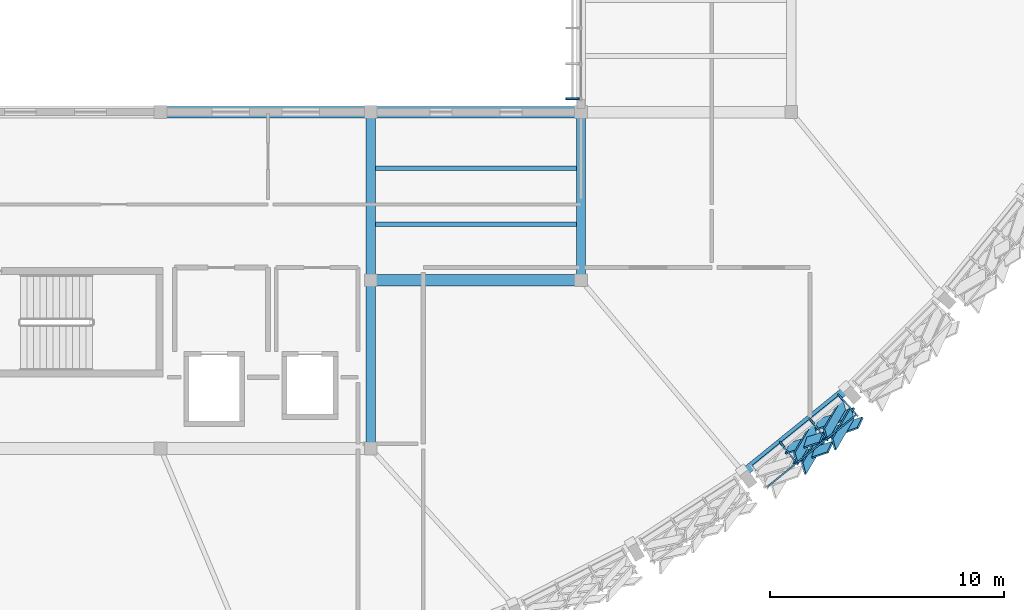
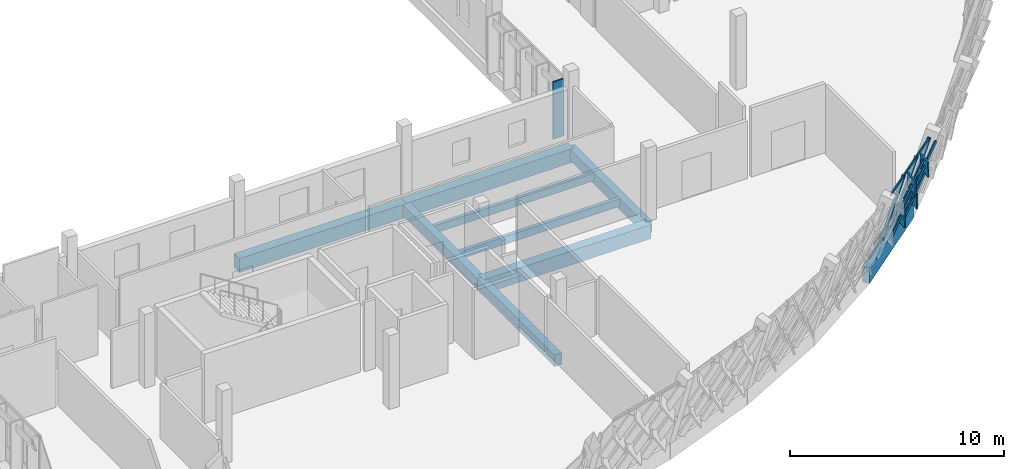
# One storey, part 52 of 94: 15 members, 9 beams, 2 elements without a shape of their own.
"""IFC4 building model written with IfcOpenShell, lengths in metres."""

from ifc_helpers import new_model, si_unit, direction, frame, origin, origin_2d, place, context, subcontext, project, spatial, rectangle, hollow_rectangle, extrude, material, material_profile, profile_set, type_object, element, aggregate, save


model = new_model("IFC4")

# Units and contexts
model_context = context("Model", 3, precision=1e-05, world=origin(), true_north=direction((0.0, 1.0)))
body_context = subcontext(model_context, "Body", "Model", "MODEL_VIEW")
ifc_project = project(units=[si_unit("LENGTHUNIT", "METRE"), si_unit("AREAUNIT", "SQUARE_METRE"), si_unit("VOLUMEUNIT", "CUBIC_METRE"), si_unit("PLANEANGLEUNIT", "RADIAN"), si_unit("MASSUNIT", "GRAM", prefix="KILO")], contexts=[model_context])

# Site, building, storey
site_placement = place(None, origin())
site = spatial("IfcSite", under=ifc_project, at=site_placement, CompositionType="ELEMENT")
building_placement = place(site_placement, origin())
building = spatial("IfcBuilding", under=site, at=building_placement, Name="Chiffa Square Polytechnic", CompositionType="ELEMENT")
storey_placement = place(building_placement, frame((0.0, 0.0, 18.0)))
storey = spatial("IfcBuildingStorey", under=building, at=storey_placement, Name="L04", CompositionType="ELEMENT", Elevation=18.0)

# Beams
ifc_material_1 = material(Name="Concrete C35/45", Category="concrete")
ifc_material_profile_1 = material_profile(ifc_material_1, rectangle(XDim=0.39990234375, YDim=0.64990234375, at=origin_2d()), Name="RC 400x650")
ifc_profile_set_1 = profile_set([ifc_material_profile_1], Name="Concrete C35/45")
beam_type_1 = type_object("IfcBeamType", Name="BM-RC-400X650", PredefinedType="BEAM", material=ifc_profile_set_1)
beam_1_placement = place(storey_placement, frame((139.199951171875, 14.39990234375, -0.56494140625), z_axis=(0.0, 1.0, 0.0), x_axis=(-1.0, 0.0, 0.0)))
element("IfcBeam", 1, at=beam_1_placement, inside=storey, type_object=beam_type_1, Name="Primary floor girder BM-V1-L04-Y-1392-0144", PredefinedType="BEAM", context=body_context, shape_type="SweptSolid", body=[
    extrude(rectangle(XDim=0.39990234375, YDim=0.64990234375, at=origin_2d()), origin(), (0.0, 0.0, 1.0), 7.2001953125),
])
for number, where, z_axis, x_axis, name in (
    (2, (139.199951171875, 21.60009765625, -0.56494140625), (0.0, 1.0, 0.0), (-1.0, 0.0, 0.0), "Primary floor girder BM-V1-L04-Y-1392-0216"),
    (3, (148.199951171875, 21.60009765625, -0.56494140625), (0.0, 1.0, 0.0), (-1.0, 0.0, 0.0), "Primary floor girder BM-V1-L04-Y-1482-0216"),
):
    element("IfcBeam", number, at=place(storey_placement, frame(where, z_axis=z_axis, x_axis=x_axis)), inside=storey, type_object=beam_type_1, Name=name, PredefinedType="BEAM", context=body_context, shape_type="SweptSolid", body=[
        extrude(rectangle(XDim=0.39990234375, YDim=0.64990234375, at=origin_2d()), origin(), (0.0, 0.0, 1.0), 7.199951171875),
    ])
ifc_material_2 = material(Name="Concrete C40/50", Category="concrete")
ifc_material_profile_2 = material_profile(ifc_material_2, rectangle(XDim=0.5, YDim=0.800048828125, at=origin_2d()), Name="RC 500x800")
ifc_profile_set_2 = profile_set([ifc_material_profile_2], Name="Concrete C40/50")
beam_type_2 = type_object("IfcBeamType", Name="BM-RC-500X800", PredefinedType="BEAM", material=ifc_profile_set_2)
for number, where, z_axis, x_axis, name in (
    (4, (139.199951171875, 21.60009765625, -0.639892578125), (1.0, 0.0, 0.0), (0.0, 1.0, 0.0), "Primary floor girder BM-V1-L04-X-1392-0216"),
    (5, (130.199951171875, 28.800048828125, -0.639892578125), (1.0, 0.0, 0.0), (0.0, 1.0, 0.0), "Primary floor girder BM-V1-L04-X-1302-0288"),
    (6, (139.199951171875, 28.800048828125, -0.639892578125), (1.0, 0.0, 0.0), (0.0, 1.0, 0.0), "Primary floor girder BM-V1-L04-X-1392-0288"),
):
    element("IfcBeam", number, at=place(storey_placement, frame(where, z_axis=z_axis, x_axis=x_axis)), inside=storey, type_object=beam_type_2, Name=name, PredefinedType="BEAM", context=body_context, shape_type="SweptSolid", body=[
        extrude(rectangle(XDim=0.5, YDim=0.800048828125, at=origin_2d()), origin(), (0.0, 0.0, 1.0), 9.0),
    ])

# Curtain wall, members
ifc_material_3 = material(Name="Aluminium EN AW-6060 T66 and glulam shading", Category="wood")
curtain_wall_type_1 = type_object("IfcCurtainWallType", Name="CW-PROW-LEAN-150", PredefinedType="USERDEFINED", material=ifc_material_3)
curtain_wall_1_placement = place(storey_placement, origin())
curtain_wall_1 = element("IfcCurtainWall", 7, at=curtain_wall_1_placement, inside=storey, type_object=curtain_wall_type_1, Name="Outward-leaning diamond-fin prow curtain wall CW-V1-L04-069", ObjectType="CURTAIN WALL", PredefinedType="USERDEFINED")
ifc_material_4 = material(Name="Aluminium EN AW-6060 T66", Category="aluminium")
ifc_material_profile_3 = material_profile(ifc_material_4, hollow_rectangle(XDim=0.06494140625, YDim=0.179931640625, WallThickness=0.00390625, at=origin_2d()), Name="ALU 65x180x4")
ifc_profile_set_3 = profile_set([ifc_material_profile_3], Name="Aluminium EN AW-6060 T66")
member_type_1 = type_object("IfcMemberType", Name="CWM-ALU-75X180", PredefinedType="MULLION", material=ifc_profile_set_3)
member_1_placement = place(storey_placement, frame((156.747802734375, 14.642333984375, 0.0), z_axis=(0.167382757201, -0.214311944917, 0.962316685327), x_axis=(0.7881108034, 0.615533395978, 0.0)))
member_1 = element("IfcMember", 8, at=member_1_placement, type_object=member_type_1, Name="Leaning prow mullion CW-V1-L04-069-M01", PredefinedType="MULLION", context=body_context, shape_type="SweptSolid", body=[
    extrude(hollow_rectangle(XDim=0.06494140625, YDim=0.179931640625, WallThickness=0.00390625, at=origin_2d()), origin(), (0.0, 0.0, 1.0), 4.09423828125),
])
member_2_placement = place(storey_placement, frame((157.999267578125, 15.65576171875, 0.0), z_axis=(0.17483607358, -0.208288678382, 0.962313968429), x_axis=(0.765933760978, 0.642919492467, 0.0)))
member_2 = element("IfcMember", 9, at=member_2_placement, type_object=member_type_1, Name="Leaning prow mullion CW-V1-L04-069-M02", PredefinedType="MULLION", context=body_context, shape_type="SweptSolid", body=[
    extrude(hollow_rectangle(XDim=0.06494140625, YDim=0.179931640625, WallThickness=0.00390625, at=origin_2d()), origin(), (0.0, 0.0, 1.0), 4.09423828125),
])
member_3_placement = place(storey_placement, frame((159.2509765625, 16.6689453125, 0.0), z_axis=(0.182217162782, -0.202191884487, 0.962244951889), x_axis=(0.742847379704, 0.669460805773, 0.0)))
member_3 = element("IfcMember", 10, at=member_3_placement, type_object=member_type_1, Name="Leaning prow mullion CW-V1-L04-069-M03", PredefinedType="MULLION", context=body_context, shape_type="SweptSolid", body=[
    extrude(hollow_rectangle(XDim=0.06494140625, YDim=0.179931640625, WallThickness=0.00390625, at=origin_2d()), origin(), (0.0, 0.0, 1.0), 4.094482421875),
])
ifc_material_5 = material(Name="Glulam GL28h", Category="wood")
ifc_material_profile_4 = material_profile(ifc_material_5, rectangle(XDim=0.080078125, YDim=0.580078125, at=origin_2d()), Name="GL28h 80x580")
ifc_profile_set_4 = profile_set([ifc_material_profile_4], Name="Glulam GL28h")
member_type_2 = type_object("IfcMemberType", Name="CWM-GL-80X580", PredefinedType="MULLION", material=ifc_profile_set_4)
member_4_placement = place(storey_placement, frame((157.05908203125, 14.39794921875, 0.0400390625), z_axis=(0.59265482889, 0.195607722877, 0.781343632817), x_axis=(-0.710515231396, 0.583873329734, 0.392759520291)))
member_4 = element("IfcMember", 11, at=member_4_placement, type_object=member_type_2, Name="Diamond glulam fin CW-V1-L04-069-DF03A", PredefinedType="MULLION", context=body_context, shape_type="SweptSolid", body=[
    extrude(rectangle(XDim=0.080078125, YDim=0.580078125, at=origin_2d()), origin(), (0.0, 0.0, 1.0), 2.469970703125),
])
member_5_placement = place(storey_placement, frame((158.174072265625, 15.300048828125, 0.0400390625), z_axis=(-0.314988776631, -0.538851211231, 0.781294722081), x_axis=(0.919057782142, 0.032287501173, 0.392798052888)))
member_5 = element("IfcMember", 12, at=member_5_placement, type_object=member_type_2, Name="Diamond glulam fin CW-V1-L04-069-DF03B", PredefinedType="MULLION", context=body_context, shape_type="SweptSolid", body=[
    extrude(rectangle(XDim=0.080078125, YDim=0.580078125, at=origin_2d()), origin(), (0.0, 0.0, 1.0), 2.47021484375),
])
member_6_placement = place(storey_placement, frame((157.39599609375, 13.968994140625, 1.969970703125), z_axis=(0.595592309313, 0.199154254833, 0.778207802499), x_axis=(-0.710913439103, 0.581726045377, 0.395217522679)))
member_6 = element("IfcMember", 13, at=member_6_placement, type_object=member_type_2, Name="Diamond glulam fin CW-V1-L04-069-DF04A", PredefinedType="MULLION", context=body_context, shape_type="SweptSolid", body=[
    extrude(rectangle(XDim=0.080078125, YDim=0.580078125, at=origin_2d()), origin(), (0.0, 0.0, 1.0), 2.47998046875),
])
member_7_placement = place(storey_placement, frame((158.52294921875, 14.881103515625, 1.969970703125), z_axis=(-0.318999520086, -0.540822334517, 0.778299755025), x_axis=(0.918220018106, 0.02705165168, 0.395145804091)))
member_7 = element("IfcMember", 14, at=member_7_placement, type_object=member_type_2, Name="Diamond glulam fin CW-V1-L04-069-DF04B", PredefinedType="MULLION", context=body_context, shape_type="SweptSolid", body=[
    extrude(rectangle(XDim=0.080078125, YDim=0.580078125, at=origin_2d()), origin(), (0.0, 0.0, 1.0), 2.479736328125),
])
member_8_placement = place(storey_placement, frame((158.31103515625, 15.410888671875, 0.0400390625), z_axis=(0.595994850536, 0.199911115267, 0.777705396746), x_axis=(-0.711159474791, 0.581158948627, 0.395608996164)))
member_8 = element("IfcMember", 15, at=member_8_placement, type_object=member_type_2, Name="Diamond glulam fin CW-V1-L04-069-DF05A", PredefinedType="MULLION", context=body_context, shape_type="SweptSolid", body=[
    extrude(rectangle(XDim=0.080078125, YDim=0.580078125, at=origin_2d()), origin(), (0.0, 0.0, 1.0), 2.481689453125),
])
member_9_placement = place(storey_placement, frame((159.426025390625, 16.31298828125, 0.0400390625), z_axis=(-0.310263216927, -0.536432691538, 0.784841833538), x_axis=(0.920016663056, 0.038459822697, 0.389987412281)))
member_9 = element("IfcMember", 16, at=member_9_placement, type_object=member_type_2, Name="Diamond glulam fin CW-V1-L04-069-DF05B", PredefinedType="MULLION", context=body_context, shape_type="SweptSolid", body=[
    extrude(rectangle(XDim=0.080078125, YDim=0.580078125, at=origin_2d()), origin(), (0.0, 0.0, 1.0), 2.458984375),
])
member_10_placement = place(storey_placement, frame((158.6630859375, 14.993896484375, 1.969970703125), z_axis=(0.598809012463, 0.203522552591, 0.774600759863), x_axis=(-0.711627823608, 0.578939278883, 0.398014009846)))
member_10 = element("IfcMember", 17, at=member_10_placement, type_object=member_type_2, Name="Diamond glulam fin CW-V1-L04-069-DF06A", PredefinedType="MULLION", context=body_context, shape_type="SweptSolid", body=[
    extrude(rectangle(XDim=0.080078125, YDim=0.580078125, at=origin_2d()), origin(), (0.0, 0.0, 1.0), 2.491455078125),
])
member_11_placement = place(storey_placement, frame((159.7900390625, 15.906982421875, 1.969970703125), z_axis=(-0.314343257211, -0.538704644631, 0.781655693064), x_axis=(0.919146975524, 0.033195890175, 0.392513528762)))
member_11 = element("IfcMember", 18, at=member_11_placement, type_object=member_type_2, Name="Diamond glulam fin CW-V1-L04-069-DF06B", PredefinedType="MULLION", context=body_context, shape_type="SweptSolid", body=[
    extrude(rectangle(XDim=0.080078125, YDim=0.580078125, at=origin_2d()), origin(), (0.0, 0.0, 1.0), 2.468994140625),
])

# Curtain wall, member
curtain_wall_type_2 = type_object("IfcCurtainWallType", Name="CW-VERT-600X440", PredefinedType="USERDEFINED", material=ifc_material_3)
curtain_wall_2_placement = place(storey_placement, origin())
curtain_wall_2 = element("IfcCurtainWall", 19, at=curtain_wall_2_placement, inside=storey, type_object=curtain_wall_type_2, Name="Curtain wall CW-V1-L04-137", ObjectType="CURTAIN WALL", PredefinedType="USERDEFINED")
member_12_placement = place(storey_placement, frame((147.827880859375, 29.364990234375, 0.010009765625), z_axis=(0.0, 0.0, 1.0), x_axis=(0.0, -1.0, 0.0)))
member_12 = element("IfcMember", 20, at=member_12_placement, type_object=member_type_2, Name="Exterior glulam solar fin CW-V1-L04-137-FN04", PredefinedType="MULLION", context=body_context, shape_type="SweptSolid", body=[
    extrude(rectangle(XDim=0.080078125, YDim=0.580078125, at=origin_2d()), origin(), (0.0, 0.0, 1.0), 3.2548828125),
])
aggregate(curtain_wall_2, [member_12])

# Member
ifc_material_profile_5 = material_profile(ifc_material_4, hollow_rectangle(XDim=0.06494140625, YDim=0.139892578125, WallThickness=0.00390625, at=origin_2d()), Name="ALU 65x140x4")
ifc_profile_set_5 = profile_set([ifc_material_profile_5], Name="Aluminium EN AW-6060 T66")
member_type_3 = type_object("IfcMemberType", Name="CWT-ALU-75X140", PredefinedType="USERDEFINED", material=ifc_profile_set_5)
member_13_placement = place(storey_placement, frame((155.502685546875, 13.619873046875, 0.0400390625), z_axis=(0.777213103853, 0.629237468051, 0.0), x_axis=(-0.629237468051, 0.777213103853, 0.0)))
member_13 = element("IfcMember", 21, at=member_13_placement, type_object=member_type_3, Name="Leaning prow transom CW-V1-L04-069-T01", ObjectType="TRANSOM", PredefinedType="USERDEFINED", context=body_context, shape_type="SweptSolid", body=[
    extrude(hollow_rectangle(XDim=0.06494140625, YDim=0.139892578125, WallThickness=0.00390625, at=origin_2d()), origin(), (0.0, 0.0, 1.0), 4.83251953125),
])

member_14_placement = place(storey_placement, frame((155.63720703125, 13.434326171875, 0.85009765625), z_axis=(0.77719687263, 0.629257515787, 0.0), x_axis=(-0.629257515787, 0.77719687263, 0.0)))
member_14 = element("IfcMember", 22, at=member_14_placement, type_object=member_type_3, Name="Leaning prow transom CW-V1-L04-069-T02", ObjectType="TRANSOM", PredefinedType="USERDEFINED", context=body_context, shape_type="SweptSolid", body=[
    extrude(hollow_rectangle(XDim=0.06494140625, YDim=0.139892578125, WallThickness=0.00390625, at=origin_2d()), origin(), (0.0, 0.0, 1.0), 4.856689453125),
])

member_15_placement = place(storey_placement, frame((156.144287109375, 12.736083984375, 3.89990234375), z_axis=(0.777196604157, 0.629257847378, 0.0), x_axis=(-0.629257847378, 0.777196604157, 0.0)))
member_15 = element("IfcMember", 23, at=member_15_placement, type_object=member_type_3, Name="Leaning prow transom CW-V1-L04-069-T03", ObjectType="TRANSOM", PredefinedType="USERDEFINED", context=body_context, shape_type="SweptSolid", body=[
    extrude(hollow_rectangle(XDim=0.06494140625, YDim=0.139892578125, WallThickness=0.00390625, at=origin_2d()), origin(), (0.0, 0.0, 1.0), 4.947509765625),
])

aggregate(curtain_wall_1, [member_1, member_2, member_3, member_13, member_14, member_15, member_4, member_5, member_6, member_7, member_8, member_9, member_10, member_11])

# Beams
ifc_material_profile_6 = material_profile(ifc_material_5, rectangle(XDim=0.199951171875, YDim=0.43994140625, at=origin_2d()), Name="GL28h 200x440")
ifc_profile_set_6 = profile_set([ifc_material_profile_6], Name="Glulam GL28h")
beam_type_3 = type_object("IfcBeamType", Name="JST-GL-200X440", PredefinedType="JOIST", material=ifc_profile_set_6)
for number, where, z_axis, x_axis, name in (
    (24, (139.39794921875, 24.0, -0.4599609375), (1.0, 0.0, 0.0), (0.0, 1.0, 0.0), "Secondary floor joist JST-V1-L04-1392-0240"),
    (25, (139.39794921875, 26.39990234375, -0.4599609375), (1.0, 0.0, 0.0), (0.0, 1.0, 0.0), "Secondary floor joist JST-V1-L04-1392-0264"),
):
    element("IfcBeam", number, at=place(storey_placement, frame(where, z_axis=z_axis, x_axis=x_axis)), inside=storey, type_object=beam_type_3, Name=name, PredefinedType="JOIST", context=body_context, shape_type="SweptSolid", body=[
        extrude(rectangle(XDim=0.199951171875, YDim=0.43994140625, at=origin_2d()), origin(), (0.0, 0.0, 1.0), 8.60400390625),
    ])
ifc_material_6 = material(Name="Glulam GL32c", Category="wood")
ifc_material_profile_7 = material_profile(ifc_material_6, rectangle(XDim=0.360107421875, YDim=0.89990234375, at=origin_2d()), Name="GL32c 360x900")
ifc_profile_set_7 = profile_set([ifc_material_profile_7], Name="Glulam GL32c")
beam_type_4 = type_object("IfcBeamType", Name="RB-GL-360X900", PredefinedType="SPANDREL", material=ifc_profile_set_7)
beam_2_placement = place(storey_placement, frame((155.162109375, 13.35791015625, -0.68994140625), z_axis=(0.777104998604, 0.629370972594, 0.0), x_axis=(-0.629370972594, 0.777104998604, 0.0)))
element("IfcBeam", 26, at=beam_2_placement, inside=storey, type_object=beam_type_4, Name="Prow perimeter edge beam RB-V1-PROW-L04-09", PredefinedType="SPANDREL", context=body_context, shape_type="SweptSolid", body=[
    extrude(rectangle(XDim=0.360107421875, YDim=0.89990234375, at=origin_2d()), origin(), (0.0, 0.0, 1.0), 5.69140625),
])

save(model, "model.ifc")
